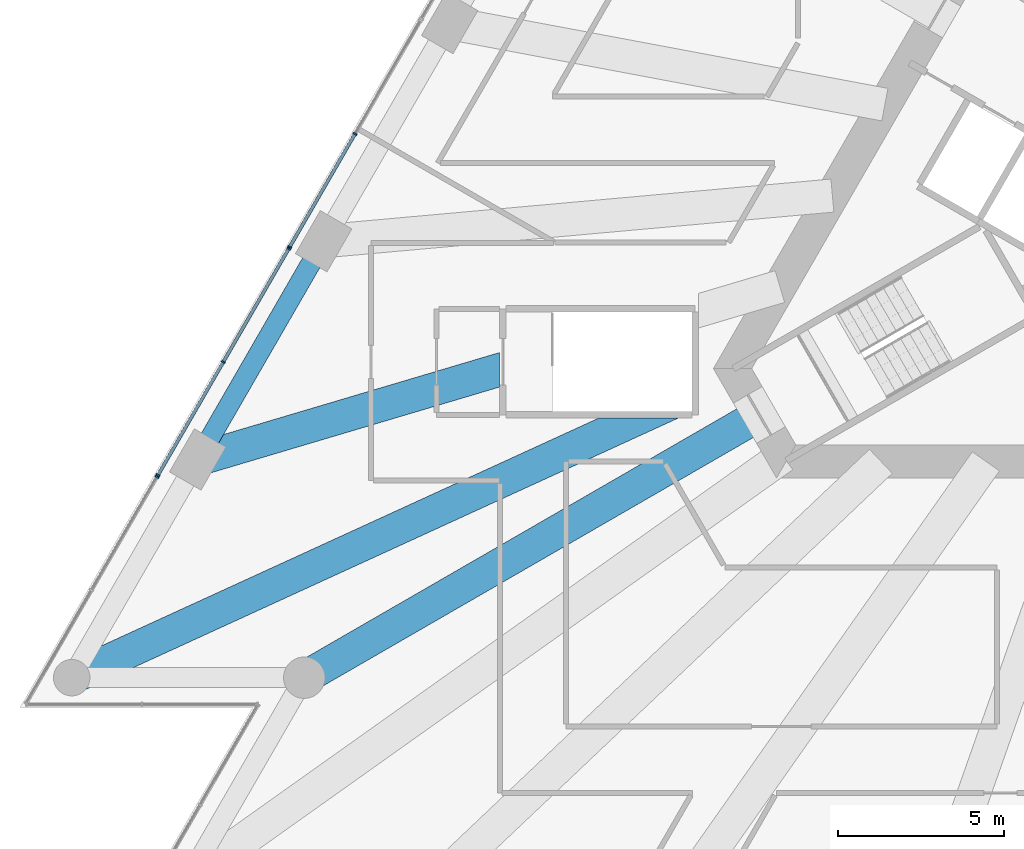
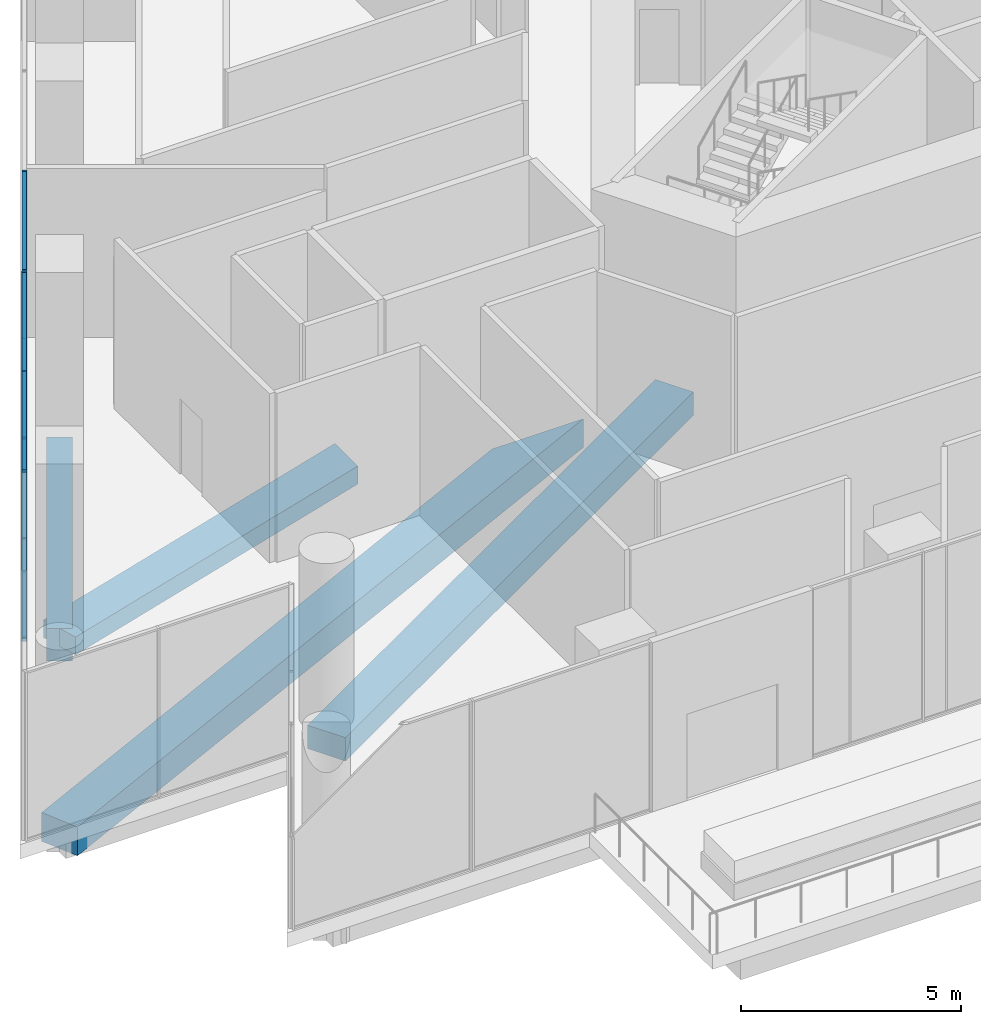
# One storey, part 6 of 28: 12 members, 4 beams, 3 elements without a shape of their own.
"""IFC4 building model written with IfcOpenShell, lengths in metres."""

from ifc_helpers import new_model, si_unit, direction, frame, origin, origin_2d, place, context, subcontext, project, spatial, rectangle, extrude, clip, halfspace, material, layer, layer_set, material_profile, profile_set, type_object, element, aggregate, save


model = new_model("IFC4")

# Units and contexts
model_context = context("Model", 3, precision=1e-05, world=origin(), true_north=direction((0.0, 1.0)))
body_context = subcontext(model_context, "Body", "Model", "MODEL_VIEW")
ifc_project = project(units=[si_unit("LENGTHUNIT", "METRE"), si_unit("AREAUNIT", "SQUARE_METRE"), si_unit("VOLUMEUNIT", "CUBIC_METRE"), si_unit("PLANEANGLEUNIT", "RADIAN"), si_unit("MASSUNIT", "GRAM", prefix="KILO")], contexts=[model_context])

# Site, building, storey
site_placement = place(None, origin())
site = spatial("IfcSite", under=ifc_project, at=site_placement, CompositionType="ELEMENT")
building_placement = place(site_placement, origin())
building = spatial("IfcBuilding", under=site, at=building_placement, Name="Triada Interchange Tower", CompositionType="ELEMENT")
storey_placement = place(building_placement, frame((0.0, 0.0, 30.300048828125)))
storey = spatial("IfcBuildingStorey", under=building, at=storey_placement, Name="L05", CompositionType="ELEMENT", Elevation=30.300048828125)

# Curtain wall, members
ifc_material_1 = material(Name="Aluminium framed glazing", Category="aluminium")
ifc_layer = layer(ifc_material_1, 0.199951171875)
ifc_layer_set = layer_set([ifc_layer], Name="Curtain wall Winter garden glazing")
curtain_wall_type = type_object("IfcCurtainWallType", Name="Curtain wall Winter garden glazing", PredefinedType="NOTDEFINED", material=ifc_layer_set)
curtain_wall_1_placement = place(storey_placement, origin())
curtain_wall_1 = element("IfcCurtainWall", 1, at=curtain_wall_1_placement, inside=storey, type_object=curtain_wall_type, Name="Winter garden glazing CW027 L05", PredefinedType="NOTDEFINED")
ifc_material_2 = material(Name="Aluminium", Category="aluminium")
ifc_material_profile_1 = material_profile(ifc_material_2, rectangle(XDim=0.1201171875, YDim=0.050048828125, at=origin_2d()), Name="Aluminium mullion")
ifc_profile_set_1 = profile_set([ifc_material_profile_1], Name="Aluminium")
member_type_1 = type_object("IfcMemberType", Name="Mullion Winter garden glazing 120x50", PredefinedType="MULLION", material=ifc_profile_set_1)
member_1_placement = place(storey_placement, frame((-25.3583984375, 0.8779296875, 0.0), z_axis=(0.0, 0.0, 1.0), x_axis=(0.866055473648, -0.499947913852, 0.0)))
member_1 = element("IfcMember", 2, at=member_1_placement, type_object=member_type_1, Name="CW027 mullion 2", PredefinedType="MULLION", context=body_context, shape_type="SweptSolid", body=[
    extrude(rectangle(XDim=0.1201171875, YDim=0.050048828125, at=origin_2d()), origin(), (0.0, 0.0, 1.0), 4.699951171875),
])
member_2_placement = place(storey_placement, frame((-27.32958984375, -2.536376953125, 0.0), z_axis=(0.0, 0.0, 1.0), x_axis=(0.866055473648, -0.499947913852, 0.0)))
member_2 = element("IfcMember", 3, at=member_2_placement, type_object=member_type_1, Name="CW027 mullion 3", PredefinedType="MULLION", context=body_context, shape_type="SweptSolid", body=[
    extrude(rectangle(XDim=0.1201171875, YDim=0.050048828125, at=origin_2d()), origin(), (0.0, 0.0, 1.0), 4.699951171875),
])

curtain_wall_2_placement = place(storey_placement, origin())
curtain_wall_2 = element("IfcCurtainWall", 4, at=curtain_wall_2_placement, inside=storey, type_object=curtain_wall_type, Name="Winter garden glazing CW028 L05", PredefinedType="NOTDEFINED")
member_3_placement = place(storey_placement, frame((-27.360595703125, -2.588623046875, 0.0), z_axis=(0.0, 0.0, 1.0), x_axis=(0.866055473648, -0.499947913852, 0.0)))
member_3 = element("IfcMember", 5, at=member_3_placement, type_object=member_type_1, Name="CW028 mullion 1", PredefinedType="MULLION", context=body_context, shape_type="SweptSolid", body=[
    extrude(rectangle(XDim=0.1201171875, YDim=0.050048828125, at=origin_2d()), origin(), (0.0, 0.0, 1.0), 4.699951171875),
])
member_4_placement = place(storey_placement, frame((-29.33154296875, -6.0029296875, 0.0), z_axis=(0.0, 0.0, 1.0), x_axis=(0.866055473648, -0.499947913852, 0.0)))
member_4 = element("IfcMember", 6, at=member_4_placement, type_object=member_type_1, Name="CW028 mullion 2", PredefinedType="MULLION", context=body_context, shape_type="SweptSolid", body=[
    extrude(rectangle(XDim=0.1201171875, YDim=0.050048828125, at=origin_2d()), origin(), (0.0, 0.0, 1.0), 4.699951171875),
])
member_5_placement = place(storey_placement, frame((-31.302490234375, -9.417236328125, 0.0), z_axis=(0.0, 0.0, 1.0), x_axis=(0.866055473648, -0.499947913852, 0.0)))
member_5 = element("IfcMember", 7, at=member_5_placement, type_object=member_type_1, Name="CW028 mullion 3", PredefinedType="MULLION", context=body_context, shape_type="SweptSolid", body=[
    extrude(rectangle(XDim=0.1201171875, YDim=0.050048828125, at=origin_2d()), origin(), (0.0, 0.0, 1.0), 4.699951171875),
])

# Curtain wall, member
curtain_wall_3_placement = place(storey_placement, origin())
curtain_wall_3 = element("IfcCurtainWall", 8, at=curtain_wall_3_placement, inside=storey, type_object=curtain_wall_type, Name="Winter garden glazing CW029 L05", PredefinedType="NOTDEFINED")
member_6_placement = place(storey_placement, frame((-31.33349609375, -9.4697265625, 0.0), z_axis=(0.0, 0.0, 1.0), x_axis=(0.86604927658, -0.499958648825, 0.0)))
member_6 = element("IfcMember", 9, at=member_6_placement, type_object=member_type_1, Name="CW029 mullion 1", PredefinedType="MULLION", context=body_context, shape_type="SweptSolid", body=[
    extrude(rectangle(XDim=0.1201171875, YDim=0.050048828125, at=origin_2d()), origin(), (0.0, 0.0, 1.0), 4.699951171875),
])
aggregate(curtain_wall_3, [member_6])

# Beams
ifc_material_3 = material(Name="Concrete C50/60", Category="concrete")
ifc_material_profile_2 = material_profile(ifc_material_3, rectangle(XDim=1.0, YDim=0.5, at=origin_2d()), Name="RC 1000x500")
ifc_profile_set_2 = profile_set([ifc_material_profile_2], Name="Concrete C50/60")
beam_type_1 = type_object("IfcBeamType", Name="Radial band beam P RC 1000x500", PredefinedType="BEAM", material=ifc_profile_set_2)
beam_1_placement = place(storey_placement, frame((-30.10498046875, -8.944091796875, -0.650146484375), z_axis=(0.958593857604, 0.284776783049, 0.0), x_axis=(-0.284776783049, 0.958593857604, 0.0)))
element("IfcBeam", 10, at=beam_1_placement, inside=storey, type_object=beam_type_1, Name="Radial band beam BP08A L05", PredefinedType="BEAM", context=body_context, shape_type="Clipping", body=[
    clip(extrude(rectangle(XDim=1.0, YDim=0.5, at=origin_2d()), origin(), (0.0, 0.0, 1.0), 10.998291015625), halfspace(frame((-1.400146484375, -29.64990234375, 9.082275390625), z_axis=(-0.284776783049, 0.0, 0.958593857604), x_axis=(0.0, 1.0, 0.0)), False)),
])
ifc_material_profile_3 = material_profile(ifc_material_3, rectangle(XDim=1.0, YDim=0.64990234375, at=origin_2d()), Name="RC 1000x650")
ifc_profile_set_3 = profile_set([ifc_material_profile_3], Name="Concrete C50/60")
beam_type_2 = type_object("IfcBeamType", Name="Radial band beam P RC 1000x650", PredefinedType="BEAM", material=ifc_profile_set_3)
beam_2_placement = place(storey_placement, frame((-26.889892578125, -15.52490234375, -0.72509765625), z_axis=(0.866020130944, 0.500009132716, 0.0), x_axis=(-0.500009132716, 0.866020130944, 0.0)))
element("IfcBeam", 11, at=beam_2_placement, inside=storey, type_object=beam_type_2, Name="Radial band beam BP10 L05", PredefinedType="BEAM", context=body_context, shape_type="SweptSolid", body=[
    extrude(rectangle(XDim=1.0, YDim=0.64990234375, at=origin_2d()), origin(), (0.0, 0.0, 1.0), 15.849365234375),
])
ifc_material_profile_4 = material_profile(ifc_material_3, rectangle(XDim=1.0, YDim=0.800048828125, at=origin_2d()), Name="RC 1000x800")
ifc_profile_set_4 = profile_set([ifc_material_profile_4], Name="Concrete C50/60")
beam_type_3 = type_object("IfcBeamType", Name="Radial band beam P RC 1000x800", PredefinedType="BEAM", material=ifc_profile_set_4)
beam_3_placement = place(storey_placement, frame((-33.905029296875, -15.52490234375, -0.800048828125), z_axis=(0.909200707798, 0.41635810661, 0.0), x_axis=(-0.41635810661, 0.909200707798, 0.0)))
element("IfcBeam", 12, at=beam_3_placement, inside=storey, type_object=beam_type_3, Name="Radial band beam BP09A L05", PredefinedType="BEAM", context=body_context, shape_type="Clipping", body=[
    clip(extrude(rectangle(XDim=1.0, YDim=0.800048828125, at=origin_2d()), origin(), (0.0, 0.0, 1.0), 20.294921875), halfspace(frame((-0.7568359375, -29.5, 20.446533203125), z_axis=(0.909200707798, 0.0, 0.41635810661), x_axis=(0.0, -1.0, 0.0)), False)),
])
ifc_material_profile_5 = material_profile(ifc_material_3, rectangle(XDim=0.60009765625, YDim=0.89990234375, at=origin_2d()), Name="RC 600x900")
ifc_profile_set_5 = profile_set([ifc_material_profile_5], Name="Concrete C50/60")
beam_type_4 = type_object("IfcBeamType", Name="Spandrel beam P RC 600x900", PredefinedType="BEAM", material=ifc_profile_set_5)
beam_4_placement = place(storey_placement, frame((-26.305908203125, -2.362060546875, -0.85009765625), z_axis=(-0.499894869559, -0.866086092366, 0.0), x_axis=(0.866086092366, -0.499894869559, 0.0)))
element("IfcBeam", 13, at=beam_4_placement, inside=storey, type_object=beam_type_4, Name="Spandrel beam EP07 L05", PredefinedType="BEAM", context=body_context, shape_type="SweptSolid", body=[
    extrude(rectangle(XDim=0.60009765625, YDim=0.89990234375, at=origin_2d()), origin(), (0.0, 0.0, 1.0), 7.599853515625),
])

# Member
ifc_material_profile_6 = material_profile(ifc_material_2, rectangle(XDim=0.10009765625, YDim=0.050048828125, at=origin_2d()), Name="Aluminium transom")
ifc_profile_set_6 = profile_set([ifc_material_profile_6], Name="Aluminium")
member_type_2 = type_object("IfcMemberType", Name="Transom Winter garden glazing 100x50", PredefinedType="USERDEFINED", material=ifc_profile_set_6)
member_7_placement = place(storey_placement, frame((-25.37109375, 0.8564453125, 0.02490234375), z_axis=(-0.499903441657, -0.866081144593, 0.0), x_axis=(0.866081144593, -0.499903441657, 0.0)))
member_7 = element("IfcMember", 14, at=member_7_placement, type_object=member_type_2, Name="CW027 transom 2.1", ObjectType="TRANSOM", PredefinedType="USERDEFINED", context=body_context, shape_type="SweptSolid", body=[
    extrude(rectangle(XDim=0.10009765625, YDim=0.050048828125, at=origin_2d()), origin(), (0.0, 0.0, 1.0), 3.892333984375),
])

member_8_placement = place(storey_placement, frame((-25.37109375, 0.8564453125, 4.675048828125), z_axis=(-0.499903441657, -0.866081144593, 0.0), x_axis=(0.866081144593, -0.499903441657, 0.0)))
member_8 = element("IfcMember", 15, at=member_8_placement, type_object=member_type_2, Name="CW027 transom 2.2", ObjectType="TRANSOM", PredefinedType="USERDEFINED", context=body_context, shape_type="SweptSolid", body=[
    extrude(rectangle(XDim=0.10009765625, YDim=0.050048828125, at=origin_2d()), origin(), (0.0, 0.0, 1.0), 3.892333984375),
])

aggregate(curtain_wall_1, [member_1, member_2, member_7, member_8])

member_9_placement = place(storey_placement, frame((-27.373046875, -2.6103515625, 0.02490234375), z_axis=(-0.499950487857, -0.866053987747, 0.0), x_axis=(0.866053987747, -0.499950487857, 0.0)))
member_9 = element("IfcMember", 16, at=member_9_placement, type_object=member_type_2, Name="CW028 transom 1.1", ObjectType="TRANSOM", PredefinedType="USERDEFINED", context=body_context, shape_type="SweptSolid", body=[
    extrude(rectangle(XDim=0.10009765625, YDim=0.050048828125, at=origin_2d()), origin(), (0.0, 0.0, 1.0), 3.892578125),
])

member_10_placement = place(storey_placement, frame((-27.373046875, -2.6103515625, 4.675048828125), z_axis=(-0.499950487857, -0.866053987747, 0.0), x_axis=(0.866053987747, -0.499950487857, 0.0)))
member_10 = element("IfcMember", 17, at=member_10_placement, type_object=member_type_2, Name="CW028 transom 1.2", ObjectType="TRANSOM", PredefinedType="USERDEFINED", context=body_context, shape_type="SweptSolid", body=[
    extrude(rectangle(XDim=0.10009765625, YDim=0.050048828125, at=origin_2d()), origin(), (0.0, 0.0, 1.0), 3.892578125),
])

member_11_placement = place(storey_placement, frame((-29.343994140625, -6.024658203125, 0.02490234375), z_axis=(-0.499950487857, -0.866053987747, 0.0), x_axis=(0.866053987747, -0.499950487857, 0.0)))
member_11 = element("IfcMember", 18, at=member_11_placement, type_object=member_type_2, Name="CW028 transom 2.1", ObjectType="TRANSOM", PredefinedType="USERDEFINED", context=body_context, shape_type="SweptSolid", body=[
    extrude(rectangle(XDim=0.10009765625, YDim=0.050048828125, at=origin_2d()), origin(), (0.0, 0.0, 1.0), 3.892578125),
])

member_12_placement = place(storey_placement, frame((-29.343994140625, -6.024658203125, 4.675048828125), z_axis=(-0.499950487857, -0.866053987747, 0.0), x_axis=(0.866053987747, -0.499950487857, 0.0)))
member_12 = element("IfcMember", 19, at=member_12_placement, type_object=member_type_2, Name="CW028 transom 2.2", ObjectType="TRANSOM", PredefinedType="USERDEFINED", context=body_context, shape_type="SweptSolid", body=[
    extrude(rectangle(XDim=0.10009765625, YDim=0.050048828125, at=origin_2d()), origin(), (0.0, 0.0, 1.0), 3.892578125),
])

aggregate(curtain_wall_2, [member_3, member_4, member_5, member_9, member_10, member_11, member_12])

save(model, "model.ifc")
